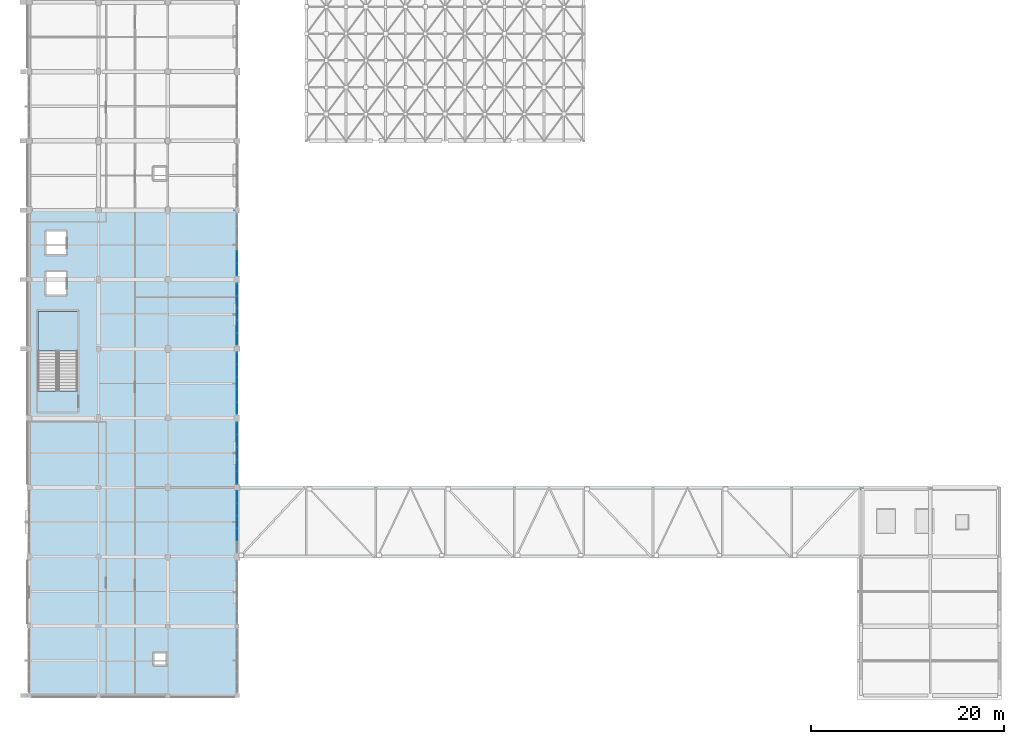
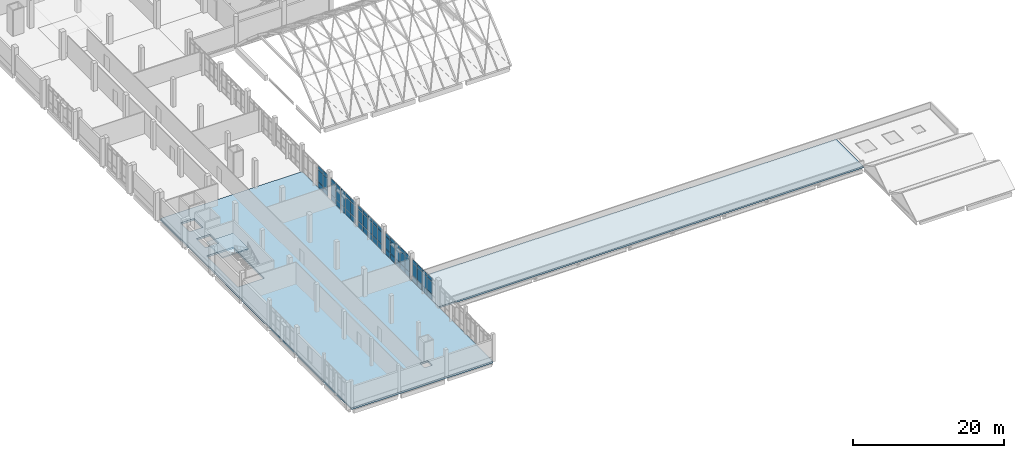
# One storey, part 60 of 87: 63 plates, 3 slabs, 6 elements without a shape of their own.
"""IFC4 building model written with IfcOpenShell, lengths in metres."""

from ifc_helpers import new_model, si_unit, direction, frame, origin, origin_2d, place, context, subcontext, project, spatial, polyline, rectangle, outline, extrude, material, layer, layer_set, type_object, element, aggregate, save


model = new_model("IFC4")

# Units and contexts
model_context = context("Model", 3, precision=1e-05, world=origin(), true_north=direction((0.0, 1.0)))
body_context = subcontext(model_context, "Body", "Model", "MODEL_VIEW")
ifc_project = project(units=[si_unit("LENGTHUNIT", "METRE"), si_unit("AREAUNIT", "SQUARE_METRE"), si_unit("VOLUMEUNIT", "CUBIC_METRE"), si_unit("PLANEANGLEUNIT", "RADIAN"), si_unit("MASSUNIT", "GRAM", prefix="KILO")], contexts=[model_context])

# Site, building, storey
site_placement = place(None, origin())
site = spatial("IfcSite", under=ifc_project, at=site_placement, CompositionType="ELEMENT")
building_placement = place(site_placement, origin())
building = spatial("IfcBuilding", under=site, at=building_placement, Name="Kalluvel Institute of Natural Sciences", CompositionType="ELEMENT")
storey_placement = place(building_placement, frame((0.0, 0.0, 18.89990234375)))
storey = spatial("IfcBuildingStorey", under=building, at=storey_placement, Name="L04", CompositionType="ELEMENT", Elevation=18.89990234375)

# Curtain wall, plates
ifc_material_1 = material(Name="Aluminium AW-6063 T6", Category="aluminium")
curtain_wall_type = type_object("IfcCurtainWallType", Name="CW-DRY-45", PredefinedType="USERDEFINED", material=ifc_material_1)
curtain_wall_1_placement = place(storey_placement, origin())
curtain_wall_1 = element("IfcCurtainWall", 1, at=curtain_wall_1_placement, inside=storey, type_object=curtain_wall_type, Name="L04 Gothic lancet curtain wall CWA-L04-X356-Y288", ObjectType="UNITISED LANCET FACADE", PredefinedType="USERDEFINED")
ifc_material_2 = material(Name="Solar-Control Low-E Laminated Glass", Category="glass")
ifc_layer_1 = layer(ifc_material_2, 0.028076171875)
ifc_layer_set_1 = layer_set([ifc_layer_1], Name="Solar-Control Low-E Laminated Glass")
plate_type = type_object("IfcPlateType", Name="CWP-DGU-28", PredefinedType="CURTAIN_PANEL", material=ifc_layer_set_1)
plate_1_placement = place(storey_placement, frame((35.60009765625, 30.75244140625, 0.06005859375), z_axis=(0.0, 0.0, 1.0), x_axis=(0.0, 1.0, 0.0)))
plate_1 = element("IfcPlate", 2, at=plate_1_placement, type_object=plate_type, Name="CW-03 panel 2.1", PredefinedType="CURTAIN_PANEL", context=body_context, shape_type="SweptSolid", body=[
    extrude(rectangle(XDim=1.22509765625, YDim=0.028076171875, at=origin_2d()), origin(), (0.0, 0.0, 1.0), 0.860107421875),
])
plate_2_placement = place(storey_placement, frame((35.60009765625, 30.75244140625, 0.980224609375), z_axis=(0.0, 0.0, 1.0), x_axis=(0.0, 1.0, 0.0)))
plate_2 = element("IfcPlate", 3, at=plate_2_placement, type_object=plate_type, Name="CW-03 panel 2.2", PredefinedType="CURTAIN_PANEL", context=body_context, shape_type="SweptSolid", body=[
    extrude(rectangle(XDim=1.22509765625, YDim=0.028076171875, at=origin_2d()), origin(), (0.0, 0.0, 1.0), 1.9599609375),
])
plate_3_placement = place(storey_placement, frame((35.60009765625, 30.75244140625, 3.0), z_axis=(0.0, 0.0, 1.0), x_axis=(0.0, 1.0, 0.0)))
plate_3 = element("IfcPlate", 4, at=plate_3_placement, type_object=plate_type, Name="CW-03 panel 2.3", PredefinedType="CURTAIN_PANEL", context=body_context, shape_type="SweptSolid", body=[
    extrude(rectangle(XDim=1.22509765625, YDim=0.028076171875, at=origin_2d()), origin(), (0.0, 0.0, 1.0), 0.56005859375),
])
plate_4_placement = place(storey_placement, frame((35.60009765625, 32.03759765625, 0.06005859375), z_axis=(0.0, 0.0, 1.0), x_axis=(0.0, 1.0, 0.0)))
plate_4 = element("IfcPlate", 5, at=plate_4_placement, type_object=plate_type, Name="CW-03 panel 3.1", PredefinedType="CURTAIN_PANEL", context=body_context, shape_type="SweptSolid", body=[
    extrude(rectangle(XDim=1.22509765625, YDim=0.028076171875, at=origin_2d()), origin(), (0.0, 0.0, 1.0), 0.860107421875),
])
plate_5_placement = place(storey_placement, frame((35.60009765625, 32.03759765625, 0.980224609375), z_axis=(0.0, 0.0, 1.0), x_axis=(0.0, 1.0, 0.0)))
plate_5 = element("IfcPlate", 6, at=plate_5_placement, type_object=plate_type, Name="CW-03 panel 3.2", PredefinedType="CURTAIN_PANEL", context=body_context, shape_type="SweptSolid", body=[
    extrude(rectangle(XDim=1.22509765625, YDim=0.028076171875, at=origin_2d()), origin(), (0.0, 0.0, 1.0), 1.9599609375),
])
plate_6_placement = place(storey_placement, frame((35.60009765625, 32.03759765625, 3.0), z_axis=(0.0, 0.0, 1.0), x_axis=(0.0, 1.0, 0.0)))
plate_6 = element("IfcPlate", 7, at=plate_6_placement, type_object=plate_type, Name="CW-03 panel 3.3", PredefinedType="CURTAIN_PANEL", context=body_context, shape_type="SweptSolid", body=[
    extrude(rectangle(XDim=1.22509765625, YDim=0.028076171875, at=origin_2d()), origin(), (0.0, 0.0, 1.0), 0.56005859375),
])
plate_7_placement = place(storey_placement, frame((35.60009765625, 33.322509765625, 0.06005859375), z_axis=(0.0, 0.0, 1.0), x_axis=(0.0, 1.0, 0.0)))
plate_7 = element("IfcPlate", 8, at=plate_7_placement, type_object=plate_type, Name="CW-03 panel 4.1", PredefinedType="CURTAIN_PANEL", context=body_context, shape_type="SweptSolid", body=[
    extrude(rectangle(XDim=1.22509765625, YDim=0.028076171875, at=origin_2d()), origin(), (0.0, 0.0, 1.0), 0.860107421875),
])
plate_8_placement = place(storey_placement, frame((35.60009765625, 33.322509765625, 0.980224609375), z_axis=(0.0, 0.0, 1.0), x_axis=(0.0, 1.0, 0.0)))
plate_8 = element("IfcPlate", 9, at=plate_8_placement, type_object=plate_type, Name="CW-03 panel 4.2", PredefinedType="CURTAIN_PANEL", context=body_context, shape_type="SweptSolid", body=[
    extrude(rectangle(XDim=1.22509765625, YDim=0.028076171875, at=origin_2d()), origin(), (0.0, 0.0, 1.0), 1.9599609375),
])
plate_9_placement = place(storey_placement, frame((35.60009765625, 33.322509765625, 3.0), z_axis=(0.0, 0.0, 1.0), x_axis=(0.0, 1.0, 0.0)))
plate_9 = element("IfcPlate", 10, at=plate_9_placement, type_object=plate_type, Name="CW-03 panel 4.3", PredefinedType="CURTAIN_PANEL", context=body_context, shape_type="SweptSolid", body=[
    extrude(rectangle(XDim=1.22509765625, YDim=0.028076171875, at=origin_2d()), origin(), (0.0, 0.0, 1.0), 0.56005859375),
])
plate_10_placement = place(storey_placement, frame((35.60009765625, 34.592529296875, 0.06005859375), z_axis=(0.0, 0.0, 1.0), x_axis=(0.0, 1.0, 0.0)))
plate_10 = element("IfcPlate", 11, at=plate_10_placement, type_object=plate_type, Name="CW-03 panel 5.1", PredefinedType="CURTAIN_PANEL", context=body_context, shape_type="SweptSolid", body=[
    extrude(rectangle(XDim=1.195068359375, YDim=0.028076171875, at=origin_2d()), origin(), (0.0, 0.0, 1.0), 0.860107421875),
])
plate_11_placement = place(storey_placement, frame((35.60009765625, 34.592529296875, 0.980224609375), z_axis=(0.0, 0.0, 1.0), x_axis=(0.0, 1.0, 0.0)))
plate_11 = element("IfcPlate", 12, at=plate_11_placement, type_object=plate_type, Name="CW-03 panel 5.2", PredefinedType="CURTAIN_PANEL", context=body_context, shape_type="SweptSolid", body=[
    extrude(rectangle(XDim=1.195068359375, YDim=0.028076171875, at=origin_2d()), origin(), (0.0, 0.0, 1.0), 1.9599609375),
])
plate_12_placement = place(storey_placement, frame((35.60009765625, 34.592529296875, 3.0), z_axis=(0.0, 0.0, 1.0), x_axis=(0.0, 1.0, 0.0)))
plate_12 = element("IfcPlate", 13, at=plate_12_placement, type_object=plate_type, Name="CW-03 panel 5.3", PredefinedType="CURTAIN_PANEL", context=body_context, shape_type="SweptSolid", body=[
    extrude(rectangle(XDim=1.195068359375, YDim=0.028076171875, at=origin_2d()), origin(), (0.0, 0.0, 1.0), 0.56005859375),
])
aggregate(curtain_wall_1, [plate_1, plate_2, plate_3, plate_4, plate_5, plate_6, plate_7, plate_8, plate_9, plate_10, plate_11, plate_12])

curtain_wall_2_placement = place(storey_placement, origin())
curtain_wall_2 = element("IfcCurtainWall", 14, at=curtain_wall_2_placement, inside=storey, type_object=curtain_wall_type, Name="L04 Gothic lancet curtain wall CWA-L04-X356-Y360", ObjectType="UNITISED LANCET FACADE", PredefinedType="USERDEFINED")
plate_13_placement = place(storey_placement, frame((35.60009765625, 36.610107421875, 0.06005859375), z_axis=(0.0, 0.0, 1.0), x_axis=(0.0, 1.0, 0.0)))
plate_13 = element("IfcPlate", 15, at=plate_13_placement, type_object=plate_type, Name="CW-03 panel 1.1", PredefinedType="CURTAIN_PANEL", context=body_context, shape_type="SweptSolid", body=[
    extrude(rectangle(XDim=1.199951171875, YDim=0.028076171875, at=origin_2d()), origin(), (0.0, 0.0, 1.0), 0.860107421875),
])
plate_14_placement = place(storey_placement, frame((35.60009765625, 36.610107421875, 0.980224609375), z_axis=(0.0, 0.0, 1.0), x_axis=(0.0, 1.0, 0.0)))
plate_14 = element("IfcPlate", 16, at=plate_14_placement, type_object=plate_type, Name="CW-03 panel 1.2", PredefinedType="CURTAIN_PANEL", context=body_context, shape_type="SweptSolid", body=[
    extrude(rectangle(XDim=1.199951171875, YDim=0.028076171875, at=origin_2d()), origin(), (0.0, 0.0, 1.0), 1.9599609375),
])
plate_15_placement = place(storey_placement, frame((35.60009765625, 36.610107421875, 3.0), z_axis=(0.0, 0.0, 1.0), x_axis=(0.0, 1.0, 0.0)))
plate_15 = element("IfcPlate", 17, at=plate_15_placement, type_object=plate_type, Name="CW-03 panel 1.3", PredefinedType="CURTAIN_PANEL", context=body_context, shape_type="SweptSolid", body=[
    extrude(rectangle(XDim=1.199951171875, YDim=0.028076171875, at=origin_2d()), origin(), (0.0, 0.0, 1.0), 0.56005859375),
])
plate_16_placement = place(storey_placement, frame((35.60009765625, 37.885009765625, 0.06005859375), z_axis=(0.0, 0.0, 1.0), x_axis=(0.0, 1.0, 0.0)))
plate_16 = element("IfcPlate", 18, at=plate_16_placement, type_object=plate_type, Name="CW-03 panel 2.1", PredefinedType="CURTAIN_PANEL", context=body_context, shape_type="SweptSolid", body=[
    extrude(rectangle(XDim=1.22998046875, YDim=0.028076171875, at=origin_2d()), origin(), (0.0, 0.0, 1.0), 0.860107421875),
])
plate_17_placement = place(storey_placement, frame((35.60009765625, 37.885009765625, 0.980224609375), z_axis=(0.0, 0.0, 1.0), x_axis=(0.0, 1.0, 0.0)))
plate_17 = element("IfcPlate", 19, at=plate_17_placement, type_object=plate_type, Name="CW-03 panel 2.2", PredefinedType="CURTAIN_PANEL", context=body_context, shape_type="SweptSolid", body=[
    extrude(rectangle(XDim=1.22998046875, YDim=0.028076171875, at=origin_2d()), origin(), (0.0, 0.0, 1.0), 1.9599609375),
])
plate_18_placement = place(storey_placement, frame((35.60009765625, 37.885009765625, 3.0), z_axis=(0.0, 0.0, 1.0), x_axis=(0.0, 1.0, 0.0)))
plate_18 = element("IfcPlate", 20, at=plate_18_placement, type_object=plate_type, Name="CW-03 panel 2.3", PredefinedType="CURTAIN_PANEL", context=body_context, shape_type="SweptSolid", body=[
    extrude(rectangle(XDim=1.22998046875, YDim=0.028076171875, at=origin_2d()), origin(), (0.0, 0.0, 1.0), 0.56005859375),
])
plate_19_placement = place(storey_placement, frame((35.60009765625, 39.175048828125, 0.06005859375), z_axis=(0.0, 0.0, 1.0), x_axis=(0.0, 1.0, 0.0)))
plate_19 = element("IfcPlate", 21, at=plate_19_placement, type_object=plate_type, Name="CW-03 panel 3.1", PredefinedType="CURTAIN_PANEL", context=body_context, shape_type="SweptSolid", body=[
    extrude(rectangle(XDim=1.22998046875, YDim=0.028076171875, at=origin_2d()), origin(), (0.0, 0.0, 1.0), 0.860107421875),
])
plate_20_placement = place(storey_placement, frame((35.60009765625, 39.175048828125, 0.980224609375), z_axis=(0.0, 0.0, 1.0), x_axis=(0.0, 1.0, 0.0)))
plate_20 = element("IfcPlate", 22, at=plate_20_placement, type_object=plate_type, Name="CW-03 panel 3.2", PredefinedType="CURTAIN_PANEL", context=body_context, shape_type="SweptSolid", body=[
    extrude(rectangle(XDim=1.22998046875, YDim=0.028076171875, at=origin_2d()), origin(), (0.0, 0.0, 1.0), 1.9599609375),
])
plate_21_placement = place(storey_placement, frame((35.60009765625, 39.175048828125, 3.0), z_axis=(0.0, 0.0, 1.0), x_axis=(0.0, 1.0, 0.0)))
plate_21 = element("IfcPlate", 23, at=plate_21_placement, type_object=plate_type, Name="CW-03 panel 3.3", PredefinedType="CURTAIN_PANEL", context=body_context, shape_type="SweptSolid", body=[
    extrude(rectangle(XDim=1.22998046875, YDim=0.028076171875, at=origin_2d()), origin(), (0.0, 0.0, 1.0), 0.56005859375),
])
plate_22_placement = place(storey_placement, frame((35.60009765625, 40.465087890625, 0.06005859375), z_axis=(0.0, 0.0, 1.0), x_axis=(0.0, 1.0, 0.0)))
plate_22 = element("IfcPlate", 24, at=plate_22_placement, type_object=plate_type, Name="CW-03 panel 4.1", PredefinedType="CURTAIN_PANEL", context=body_context, shape_type="SweptSolid", body=[
    extrude(rectangle(XDim=1.22998046875, YDim=0.028076171875, at=origin_2d()), origin(), (0.0, 0.0, 1.0), 0.860107421875),
])
plate_23_placement = place(storey_placement, frame((35.60009765625, 40.465087890625, 0.980224609375), z_axis=(0.0, 0.0, 1.0), x_axis=(0.0, 1.0, 0.0)))
plate_23 = element("IfcPlate", 25, at=plate_23_placement, type_object=plate_type, Name="CW-03 panel 4.2", PredefinedType="CURTAIN_PANEL", context=body_context, shape_type="SweptSolid", body=[
    extrude(rectangle(XDim=1.22998046875, YDim=0.028076171875, at=origin_2d()), origin(), (0.0, 0.0, 1.0), 1.9599609375),
])
plate_24_placement = place(storey_placement, frame((35.60009765625, 40.465087890625, 3.0), z_axis=(0.0, 0.0, 1.0), x_axis=(0.0, 1.0, 0.0)))
plate_24 = element("IfcPlate", 26, at=plate_24_placement, type_object=plate_type, Name="CW-03 panel 4.3", PredefinedType="CURTAIN_PANEL", context=body_context, shape_type="SweptSolid", body=[
    extrude(rectangle(XDim=1.22998046875, YDim=0.028076171875, at=origin_2d()), origin(), (0.0, 0.0, 1.0), 0.56005859375),
])
plate_25_placement = place(storey_placement, frame((35.60009765625, 41.739990234375, 0.06005859375), z_axis=(0.0, 0.0, 1.0), x_axis=(0.0, 1.0, 0.0)))
plate_25 = element("IfcPlate", 27, at=plate_25_placement, type_object=plate_type, Name="CW-03 panel 5.1", PredefinedType="CURTAIN_PANEL", context=body_context, shape_type="SweptSolid", body=[
    extrude(rectangle(XDim=1.199951171875, YDim=0.028076171875, at=origin_2d()), origin(), (0.0, 0.0, 1.0), 0.860107421875),
])
plate_26_placement = place(storey_placement, frame((35.60009765625, 41.739990234375, 0.980224609375), z_axis=(0.0, 0.0, 1.0), x_axis=(0.0, 1.0, 0.0)))
plate_26 = element("IfcPlate", 28, at=plate_26_placement, type_object=plate_type, Name="CW-03 panel 5.2", PredefinedType="CURTAIN_PANEL", context=body_context, shape_type="SweptSolid", body=[
    extrude(rectangle(XDim=1.199951171875, YDim=0.028076171875, at=origin_2d()), origin(), (0.0, 0.0, 1.0), 1.9599609375),
])
plate_27_placement = place(storey_placement, frame((35.60009765625, 41.739990234375, 3.0), z_axis=(0.0, 0.0, 1.0), x_axis=(0.0, 1.0, 0.0)))
plate_27 = element("IfcPlate", 29, at=plate_27_placement, type_object=plate_type, Name="CW-03 panel 5.3", PredefinedType="CURTAIN_PANEL", context=body_context, shape_type="SweptSolid", body=[
    extrude(rectangle(XDim=1.199951171875, YDim=0.028076171875, at=origin_2d()), origin(), (0.0, 0.0, 1.0), 0.56005859375),
])
aggregate(curtain_wall_2, [plate_13, plate_14, plate_15, plate_16, plate_17, plate_18, plate_19, plate_20, plate_21, plate_22, plate_23, plate_24, plate_25, plate_26, plate_27])

curtain_wall_3_placement = place(storey_placement, origin())
curtain_wall_3 = element("IfcCurtainWall", 30, at=curtain_wall_3_placement, inside=storey, type_object=curtain_wall_type, Name="L04 Gothic lancet curtain wall CWA-L04-X356-Y432", ObjectType="UNITISED LANCET FACADE", PredefinedType="USERDEFINED")
plate_28_placement = place(storey_placement, frame((35.60009765625, 43.860107421875, 0.06005859375), z_axis=(0.0, 0.0, 1.0), x_axis=(0.0, 1.0, 0.0)))
plate_28 = element("IfcPlate", 31, at=plate_28_placement, type_object=plate_type, Name="CW-03 panel 1.1", PredefinedType="CURTAIN_PANEL", context=body_context, shape_type="SweptSolid", body=[
    extrude(rectangle(XDim=1.199951171875, YDim=0.028076171875, at=origin_2d()), origin(), (0.0, 0.0, 1.0), 0.860107421875),
])
plate_29_placement = place(storey_placement, frame((35.60009765625, 43.860107421875, 0.980224609375), z_axis=(0.0, 0.0, 1.0), x_axis=(0.0, 1.0, 0.0)))
plate_29 = element("IfcPlate", 32, at=plate_29_placement, type_object=plate_type, Name="CW-03 panel 1.2", PredefinedType="CURTAIN_PANEL", context=body_context, shape_type="SweptSolid", body=[
    extrude(rectangle(XDim=1.199951171875, YDim=0.028076171875, at=origin_2d()), origin(), (0.0, 0.0, 1.0), 1.9599609375),
])
plate_30_placement = place(storey_placement, frame((35.60009765625, 43.860107421875, 3.0), z_axis=(0.0, 0.0, 1.0), x_axis=(0.0, 1.0, 0.0)))
plate_30 = element("IfcPlate", 33, at=plate_30_placement, type_object=plate_type, Name="CW-03 panel 1.3", PredefinedType="CURTAIN_PANEL", context=body_context, shape_type="SweptSolid", body=[
    extrude(rectangle(XDim=1.199951171875, YDim=0.028076171875, at=origin_2d()), origin(), (0.0, 0.0, 1.0), 0.56005859375),
])
plate_31_placement = place(storey_placement, frame((35.60009765625, 45.135009765625, 0.06005859375), z_axis=(0.0, 0.0, 1.0), x_axis=(0.0, 1.0, 0.0)))
plate_31 = element("IfcPlate", 34, at=plate_31_placement, type_object=plate_type, Name="CW-03 panel 2.1", PredefinedType="CURTAIN_PANEL", context=body_context, shape_type="SweptSolid", body=[
    extrude(rectangle(XDim=1.22998046875, YDim=0.028076171875, at=origin_2d()), origin(), (0.0, 0.0, 1.0), 0.860107421875),
])
plate_32_placement = place(storey_placement, frame((35.60009765625, 45.135009765625, 0.980224609375), z_axis=(0.0, 0.0, 1.0), x_axis=(0.0, 1.0, 0.0)))
plate_32 = element("IfcPlate", 35, at=plate_32_placement, type_object=plate_type, Name="CW-03 panel 2.2", PredefinedType="CURTAIN_PANEL", context=body_context, shape_type="SweptSolid", body=[
    extrude(rectangle(XDim=1.22998046875, YDim=0.028076171875, at=origin_2d()), origin(), (0.0, 0.0, 1.0), 1.9599609375),
])
plate_33_placement = place(storey_placement, frame((35.60009765625, 45.135009765625, 3.0), z_axis=(0.0, 0.0, 1.0), x_axis=(0.0, 1.0, 0.0)))
plate_33 = element("IfcPlate", 36, at=plate_33_placement, type_object=plate_type, Name="CW-03 panel 2.3", PredefinedType="CURTAIN_PANEL", context=body_context, shape_type="SweptSolid", body=[
    extrude(rectangle(XDim=1.22998046875, YDim=0.028076171875, at=origin_2d()), origin(), (0.0, 0.0, 1.0), 0.56005859375),
])
plate_34_placement = place(storey_placement, frame((35.60009765625, 46.425048828125, 0.06005859375), z_axis=(0.0, 0.0, 1.0), x_axis=(0.0, 1.0, 0.0)))
plate_34 = element("IfcPlate", 37, at=plate_34_placement, type_object=plate_type, Name="CW-03 panel 3.1", PredefinedType="CURTAIN_PANEL", context=body_context, shape_type="SweptSolid", body=[
    extrude(rectangle(XDim=1.22998046875, YDim=0.028076171875, at=origin_2d()), origin(), (0.0, 0.0, 1.0), 0.860107421875),
])
plate_35_placement = place(storey_placement, frame((35.60009765625, 46.425048828125, 0.980224609375), z_axis=(0.0, 0.0, 1.0), x_axis=(0.0, 1.0, 0.0)))
plate_35 = element("IfcPlate", 38, at=plate_35_placement, type_object=plate_type, Name="CW-03 panel 3.2", PredefinedType="CURTAIN_PANEL", context=body_context, shape_type="SweptSolid", body=[
    extrude(rectangle(XDim=1.22998046875, YDim=0.028076171875, at=origin_2d()), origin(), (0.0, 0.0, 1.0), 1.9599609375),
])
plate_36_placement = place(storey_placement, frame((35.60009765625, 46.425048828125, 3.0), z_axis=(0.0, 0.0, 1.0), x_axis=(0.0, 1.0, 0.0)))
plate_36 = element("IfcPlate", 39, at=plate_36_placement, type_object=plate_type, Name="CW-03 panel 3.3", PredefinedType="CURTAIN_PANEL", context=body_context, shape_type="SweptSolid", body=[
    extrude(rectangle(XDim=1.22998046875, YDim=0.028076171875, at=origin_2d()), origin(), (0.0, 0.0, 1.0), 0.56005859375),
])
plate_37_placement = place(storey_placement, frame((35.60009765625, 47.715087890625, 0.06005859375), z_axis=(0.0, 0.0, 1.0), x_axis=(0.0, 1.0, 0.0)))
plate_37 = element("IfcPlate", 40, at=plate_37_placement, type_object=plate_type, Name="CW-03 panel 4.1", PredefinedType="CURTAIN_PANEL", context=body_context, shape_type="SweptSolid", body=[
    extrude(rectangle(XDim=1.22998046875, YDim=0.028076171875, at=origin_2d()), origin(), (0.0, 0.0, 1.0), 0.860107421875),
])
plate_38_placement = place(storey_placement, frame((35.60009765625, 47.715087890625, 0.980224609375), z_axis=(0.0, 0.0, 1.0), x_axis=(0.0, 1.0, 0.0)))
plate_38 = element("IfcPlate", 41, at=plate_38_placement, type_object=plate_type, Name="CW-03 panel 4.2", PredefinedType="CURTAIN_PANEL", context=body_context, shape_type="SweptSolid", body=[
    extrude(rectangle(XDim=1.22998046875, YDim=0.028076171875, at=origin_2d()), origin(), (0.0, 0.0, 1.0), 1.9599609375),
])
plate_39_placement = place(storey_placement, frame((35.60009765625, 47.715087890625, 3.0), z_axis=(0.0, 0.0, 1.0), x_axis=(0.0, 1.0, 0.0)))
plate_39 = element("IfcPlate", 42, at=plate_39_placement, type_object=plate_type, Name="CW-03 panel 4.3", PredefinedType="CURTAIN_PANEL", context=body_context, shape_type="SweptSolid", body=[
    extrude(rectangle(XDim=1.22998046875, YDim=0.028076171875, at=origin_2d()), origin(), (0.0, 0.0, 1.0), 0.56005859375),
])
plate_40_placement = place(storey_placement, frame((35.60009765625, 48.989990234375, 0.06005859375), z_axis=(0.0, 0.0, 1.0), x_axis=(0.0, 1.0, 0.0)))
plate_40 = element("IfcPlate", 43, at=plate_40_placement, type_object=plate_type, Name="CW-03 panel 5.1", PredefinedType="CURTAIN_PANEL", context=body_context, shape_type="SweptSolid", body=[
    extrude(rectangle(XDim=1.199951171875, YDim=0.028076171875, at=origin_2d()), origin(), (0.0, 0.0, 1.0), 0.860107421875),
])
plate_41_placement = place(storey_placement, frame((35.60009765625, 48.989990234375, 0.980224609375), z_axis=(0.0, 0.0, 1.0), x_axis=(0.0, 1.0, 0.0)))
plate_41 = element("IfcPlate", 44, at=plate_41_placement, type_object=plate_type, Name="CW-03 panel 5.2", PredefinedType="CURTAIN_PANEL", context=body_context, shape_type="SweptSolid", body=[
    extrude(rectangle(XDim=1.199951171875, YDim=0.028076171875, at=origin_2d()), origin(), (0.0, 0.0, 1.0), 1.9599609375),
])
plate_42_placement = place(storey_placement, frame((35.60009765625, 48.989990234375, 3.0), z_axis=(0.0, 0.0, 1.0), x_axis=(0.0, 1.0, 0.0)))
plate_42 = element("IfcPlate", 45, at=plate_42_placement, type_object=plate_type, Name="CW-03 panel 5.3", PredefinedType="CURTAIN_PANEL", context=body_context, shape_type="SweptSolid", body=[
    extrude(rectangle(XDim=1.199951171875, YDim=0.028076171875, at=origin_2d()), origin(), (0.0, 0.0, 1.0), 0.56005859375),
])
aggregate(curtain_wall_3, [plate_28, plate_29, plate_30, plate_31, plate_32, plate_33, plate_34, plate_35, plate_36, plate_37, plate_38, plate_39, plate_40, plate_41, plate_42])

curtain_wall_4_placement = place(storey_placement, origin())
curtain_wall_4 = element("IfcCurtainWall", 46, at=curtain_wall_4_placement, inside=storey, type_object=curtain_wall_type, Name="L04 Gothic lancet curtain wall CWA-L04-X356-Y504", ObjectType="UNITISED LANCET FACADE", PredefinedType="USERDEFINED")
plate_43_placement = place(storey_placement, frame((35.60009765625, 51.010009765625, 0.06005859375), z_axis=(0.0, 0.0, 1.0), x_axis=(0.0, 1.0, 0.0)))
plate_43 = element("IfcPlate", 47, at=plate_43_placement, type_object=plate_type, Name="CW-03 panel 1.1", PredefinedType="CURTAIN_PANEL", context=body_context, shape_type="SweptSolid", body=[
    extrude(rectangle(XDim=1.199951171875, YDim=0.028076171875, at=origin_2d()), origin(), (0.0, 0.0, 1.0), 0.860107421875),
])
plate_44_placement = place(storey_placement, frame((35.60009765625, 51.010009765625, 0.980224609375), z_axis=(0.0, 0.0, 1.0), x_axis=(0.0, 1.0, 0.0)))
plate_44 = element("IfcPlate", 48, at=plate_44_placement, type_object=plate_type, Name="CW-03 panel 1.2", PredefinedType="CURTAIN_PANEL", context=body_context, shape_type="SweptSolid", body=[
    extrude(rectangle(XDim=1.199951171875, YDim=0.028076171875, at=origin_2d()), origin(), (0.0, 0.0, 1.0), 1.9599609375),
])
plate_45_placement = place(storey_placement, frame((35.60009765625, 51.010009765625, 3.0), z_axis=(0.0, 0.0, 1.0), x_axis=(0.0, 1.0, 0.0)))
plate_45 = element("IfcPlate", 49, at=plate_45_placement, type_object=plate_type, Name="CW-03 panel 1.3", PredefinedType="CURTAIN_PANEL", context=body_context, shape_type="SweptSolid", body=[
    extrude(rectangle(XDim=1.199951171875, YDim=0.028076171875, at=origin_2d()), origin(), (0.0, 0.0, 1.0), 0.56005859375),
])
plate_46_placement = place(storey_placement, frame((35.60009765625, 52.284912109375, 0.06005859375), z_axis=(0.0, 0.0, 1.0), x_axis=(0.0, 1.0, 0.0)))
plate_46 = element("IfcPlate", 50, at=plate_46_placement, type_object=plate_type, Name="CW-03 panel 2.1", PredefinedType="CURTAIN_PANEL", context=body_context, shape_type="SweptSolid", body=[
    extrude(rectangle(XDim=1.22998046875, YDim=0.028076171875, at=origin_2d()), origin(), (0.0, 0.0, 1.0), 0.860107421875),
])
plate_47_placement = place(storey_placement, frame((35.60009765625, 52.284912109375, 0.980224609375), z_axis=(0.0, 0.0, 1.0), x_axis=(0.0, 1.0, 0.0)))
plate_47 = element("IfcPlate", 51, at=plate_47_placement, type_object=plate_type, Name="CW-03 panel 2.2", PredefinedType="CURTAIN_PANEL", context=body_context, shape_type="SweptSolid", body=[
    extrude(rectangle(XDim=1.22998046875, YDim=0.028076171875, at=origin_2d()), origin(), (0.0, 0.0, 1.0), 1.9599609375),
])
plate_48_placement = place(storey_placement, frame((35.60009765625, 52.284912109375, 3.0), z_axis=(0.0, 0.0, 1.0), x_axis=(0.0, 1.0, 0.0)))
plate_48 = element("IfcPlate", 52, at=plate_48_placement, type_object=plate_type, Name="CW-03 panel 2.3", PredefinedType="CURTAIN_PANEL", context=body_context, shape_type="SweptSolid", body=[
    extrude(rectangle(XDim=1.22998046875, YDim=0.028076171875, at=origin_2d()), origin(), (0.0, 0.0, 1.0), 0.56005859375),
])
plate_49_placement = place(storey_placement, frame((35.60009765625, 53.574951171875, 0.06005859375), z_axis=(0.0, 0.0, 1.0), x_axis=(0.0, 1.0, 0.0)))
plate_49 = element("IfcPlate", 53, at=plate_49_placement, type_object=plate_type, Name="CW-03 panel 3.1", PredefinedType="CURTAIN_PANEL", context=body_context, shape_type="SweptSolid", body=[
    extrude(rectangle(XDim=1.22998046875, YDim=0.028076171875, at=origin_2d()), origin(), (0.0, 0.0, 1.0), 0.860107421875),
])
plate_50_placement = place(storey_placement, frame((35.60009765625, 53.574951171875, 0.980224609375), z_axis=(0.0, 0.0, 1.0), x_axis=(0.0, 1.0, 0.0)))
plate_50 = element("IfcPlate", 54, at=plate_50_placement, type_object=plate_type, Name="CW-03 panel 3.2", PredefinedType="CURTAIN_PANEL", context=body_context, shape_type="SweptSolid", body=[
    extrude(rectangle(XDim=1.22998046875, YDim=0.028076171875, at=origin_2d()), origin(), (0.0, 0.0, 1.0), 1.9599609375),
])
plate_51_placement = place(storey_placement, frame((35.60009765625, 53.574951171875, 3.0), z_axis=(0.0, 0.0, 1.0), x_axis=(0.0, 1.0, 0.0)))
plate_51 = element("IfcPlate", 55, at=plate_51_placement, type_object=plate_type, Name="CW-03 panel 3.3", PredefinedType="CURTAIN_PANEL", context=body_context, shape_type="SweptSolid", body=[
    extrude(rectangle(XDim=1.22998046875, YDim=0.028076171875, at=origin_2d()), origin(), (0.0, 0.0, 1.0), 0.56005859375),
])
plate_52_placement = place(storey_placement, frame((35.60009765625, 54.864990234375, 0.06005859375), z_axis=(0.0, 0.0, 1.0), x_axis=(0.0, 1.0, 0.0)))
plate_52 = element("IfcPlate", 56, at=plate_52_placement, type_object=plate_type, Name="CW-03 panel 4.1", PredefinedType="CURTAIN_PANEL", context=body_context, shape_type="SweptSolid", body=[
    extrude(rectangle(XDim=1.22998046875, YDim=0.028076171875, at=origin_2d()), origin(), (0.0, 0.0, 1.0), 0.860107421875),
])
plate_53_placement = place(storey_placement, frame((35.60009765625, 54.864990234375, 0.980224609375), z_axis=(0.0, 0.0, 1.0), x_axis=(0.0, 1.0, 0.0)))
plate_53 = element("IfcPlate", 57, at=plate_53_placement, type_object=plate_type, Name="CW-03 panel 4.2", PredefinedType="CURTAIN_PANEL", context=body_context, shape_type="SweptSolid", body=[
    extrude(rectangle(XDim=1.22998046875, YDim=0.028076171875, at=origin_2d()), origin(), (0.0, 0.0, 1.0), 1.9599609375),
])
plate_54_placement = place(storey_placement, frame((35.60009765625, 54.864990234375, 3.0), z_axis=(0.0, 0.0, 1.0), x_axis=(0.0, 1.0, 0.0)))
plate_54 = element("IfcPlate", 58, at=plate_54_placement, type_object=plate_type, Name="CW-03 panel 4.3", PredefinedType="CURTAIN_PANEL", context=body_context, shape_type="SweptSolid", body=[
    extrude(rectangle(XDim=1.22998046875, YDim=0.028076171875, at=origin_2d()), origin(), (0.0, 0.0, 1.0), 0.56005859375),
])
plate_55_placement = place(storey_placement, frame((35.60009765625, 56.139892578125, 0.06005859375), z_axis=(0.0, 0.0, 1.0), x_axis=(0.0, 1.0, 0.0)))
plate_55 = element("IfcPlate", 59, at=plate_55_placement, type_object=plate_type, Name="CW-03 panel 5.1", PredefinedType="CURTAIN_PANEL", context=body_context, shape_type="SweptSolid", body=[
    extrude(rectangle(XDim=1.199951171875, YDim=0.028076171875, at=origin_2d()), origin(), (0.0, 0.0, 1.0), 0.860107421875),
])
plate_56_placement = place(storey_placement, frame((35.60009765625, 56.139892578125, 0.980224609375), z_axis=(0.0, 0.0, 1.0), x_axis=(0.0, 1.0, 0.0)))
plate_56 = element("IfcPlate", 60, at=plate_56_placement, type_object=plate_type, Name="CW-03 panel 5.2", PredefinedType="CURTAIN_PANEL", context=body_context, shape_type="SweptSolid", body=[
    extrude(rectangle(XDim=1.199951171875, YDim=0.028076171875, at=origin_2d()), origin(), (0.0, 0.0, 1.0), 1.9599609375),
])
plate_57_placement = place(storey_placement, frame((35.60009765625, 56.139892578125, 3.0), z_axis=(0.0, 0.0, 1.0), x_axis=(0.0, 1.0, 0.0)))
plate_57 = element("IfcPlate", 61, at=plate_57_placement, type_object=plate_type, Name="CW-03 panel 5.3", PredefinedType="CURTAIN_PANEL", context=body_context, shape_type="SweptSolid", body=[
    extrude(rectangle(XDim=1.199951171875, YDim=0.028076171875, at=origin_2d()), origin(), (0.0, 0.0, 1.0), 0.56005859375),
])
aggregate(curtain_wall_4, [plate_43, plate_44, plate_45, plate_46, plate_47, plate_48, plate_49, plate_50, plate_51, plate_52, plate_53, plate_54, plate_55, plate_56, plate_57])

curtain_wall_5_placement = place(storey_placement, origin())
curtain_wall_5 = element("IfcCurtainWall", 62, at=curtain_wall_5_placement, inside=storey, type_object=curtain_wall_type, Name="L04 Gothic lancet curtain wall CWA-L04-X356-Y576", ObjectType="UNITISED LANCET FACADE", PredefinedType="USERDEFINED")
plate_58_placement = place(storey_placement, frame((35.60009765625, 58.260009765625, 0.06005859375), z_axis=(0.0, 0.0, 1.0), x_axis=(0.0, 1.0, 0.0)))
plate_58 = element("IfcPlate", 63, at=plate_58_placement, type_object=plate_type, Name="CW-03 panel 1.1", PredefinedType="CURTAIN_PANEL", context=body_context, shape_type="SweptSolid", body=[
    extrude(rectangle(XDim=1.199951171875, YDim=0.028076171875, at=origin_2d()), origin(), (0.0, 0.0, 1.0), 0.860107421875),
])
plate_59_placement = place(storey_placement, frame((35.60009765625, 58.260009765625, 0.980224609375), z_axis=(0.0, 0.0, 1.0), x_axis=(0.0, 1.0, 0.0)))
plate_59 = element("IfcPlate", 64, at=plate_59_placement, type_object=plate_type, Name="CW-03 panel 1.2", PredefinedType="CURTAIN_PANEL", context=body_context, shape_type="SweptSolid", body=[
    extrude(rectangle(XDim=1.199951171875, YDim=0.028076171875, at=origin_2d()), origin(), (0.0, 0.0, 1.0), 1.9599609375),
])
plate_60_placement = place(storey_placement, frame((35.60009765625, 58.260009765625, 3.0), z_axis=(0.0, 0.0, 1.0), x_axis=(0.0, 1.0, 0.0)))
plate_60 = element("IfcPlate", 65, at=plate_60_placement, type_object=plate_type, Name="CW-03 panel 1.3", PredefinedType="CURTAIN_PANEL", context=body_context, shape_type="SweptSolid", body=[
    extrude(rectangle(XDim=1.199951171875, YDim=0.028076171875, at=origin_2d()), origin(), (0.0, 0.0, 1.0), 0.56005859375),
])
plate_61_placement = place(storey_placement, frame((35.60009765625, 59.534912109375, 0.06005859375), z_axis=(0.0, 0.0, 1.0), x_axis=(0.0, 1.0, 0.0)))
plate_61 = element("IfcPlate", 66, at=plate_61_placement, type_object=plate_type, Name="CW-03 panel 2.1", PredefinedType="CURTAIN_PANEL", context=body_context, shape_type="SweptSolid", body=[
    extrude(rectangle(XDim=1.22998046875, YDim=0.028076171875, at=origin_2d()), origin(), (0.0, 0.0, 1.0), 0.860107421875),
])
plate_62_placement = place(storey_placement, frame((35.60009765625, 59.534912109375, 0.980224609375), z_axis=(0.0, 0.0, 1.0), x_axis=(0.0, 1.0, 0.0)))
plate_62 = element("IfcPlate", 67, at=plate_62_placement, type_object=plate_type, Name="CW-03 panel 2.2", PredefinedType="CURTAIN_PANEL", context=body_context, shape_type="SweptSolid", body=[
    extrude(rectangle(XDim=1.22998046875, YDim=0.028076171875, at=origin_2d()), origin(), (0.0, 0.0, 1.0), 1.9599609375),
])
plate_63_placement = place(storey_placement, frame((35.60009765625, 59.534912109375, 3.0), z_axis=(0.0, 0.0, 1.0), x_axis=(0.0, 1.0, 0.0)))
plate_63 = element("IfcPlate", 68, at=plate_63_placement, type_object=plate_type, Name="CW-03 panel 2.3", PredefinedType="CURTAIN_PANEL", context=body_context, shape_type="SweptSolid", body=[
    extrude(rectangle(XDim=1.22998046875, YDim=0.028076171875, at=origin_2d()), origin(), (0.0, 0.0, 1.0), 0.56005859375),
])
aggregate(curtain_wall_5, [plate_58, plate_59, plate_60, plate_61, plate_62, plate_63])

# Slabs
ifc_material_3 = material(Name="Concrete M40", Category="concrete")
ifc_layer_2 = layer(ifc_material_3, 0.300048828125)
ifc_layer_set_2 = layer_set([ifc_layer_2], Name="Concrete M40")
slab_type_1 = type_object("IfcSlabType", Name="SLB-DRY-300", PredefinedType="FLOOR", material=ifc_layer_set_2)
slab_1_placement = place(storey_placement, frame((0.0, 0.0, -0.2998046875)))
element("IfcSlab", 69, at=slab_1_placement, inside=storey, type_object=slab_type_1, Name="L04 Dry Laboratory Floor Slab S", PredefinedType="FLOOR", context=body_context, shape_type="SweptSolid", body=[
    extrude(outline(polyline([(14.0, 14.0), (35.60009765625, 14.0), (35.60009765625, 64.39990234375), (14.0, 64.39990234375), (14.0, 14.0)]), holes=[polyline([(28.199951171875, 18.39990234375), (28.199951171875, 17.199951171875), (27.0, 17.199951171875), (27.0, 18.39990234375), (28.199951171875, 18.39990234375)]), polyline([(14.929931640625, 53.89990234375), (19.0, 53.89990234375), (19.0, 45.617919921875), (14.929931640625, 45.617919921875), (14.929931640625, 53.89990234375)]), polyline([(17.820068359375, 57.969970703125), (17.820068359375, 55.6298828125), (15.780029296875, 55.6298828125), (15.780029296875, 57.969970703125), (17.820068359375, 57.969970703125)]), polyline([(17.820068359375, 62.169921875), (17.820068359375, 59.830078125), (15.780029296875, 59.830078125), (15.780029296875, 62.169921875), (17.820068359375, 62.169921875)])]), origin(), (0.0, 0.0, 1.0), 0.2998046875),
])
ifc_layer_3 = layer(ifc_material_3, 0.25)
ifc_layer_set_3 = layer_set([ifc_layer_3], Name="Concrete M40")
slab_type_2 = type_object("IfcSlabType", Name="SLB-ROOF-250", PredefinedType="ROOF", material=ifc_layer_set_3)
slab_2_placement = place(storey_placement, frame((0.0, 0.0, -0.25)))
element("IfcSlab", 70, at=slab_2_placement, inside=storey, type_object=slab_type_2, Name="Glazed Truss Link Bridge Roof Slab", PredefinedType="ROOF", context=body_context, shape_type="SweptSolid", body=[
    extrude(outline(polyline([(35.60009765625, 28.39990234375), (100.39990234375, 28.39990234375), (100.39990234375, 35.60009765625), (35.60009765625, 35.60009765625), (35.60009765625, 28.39990234375)])), origin(), (0.0, 0.0, 1.0), 0.25),
])

# Stair, slab
stair_type = type_object("IfcStairType", Name="STR-ST4-45", PredefinedType="HALF_TURN_STAIR", material=ifc_material_3)
stair_placement = place(storey_placement, origin())
stair = element("IfcStair", 71, at=stair_placement, inside=storey, type_object=stair_type, Name="L04 Dry Wing Protected Exit Stair ST4", PredefinedType="HALF_TURN_STAIR")
ifc_layer_4 = layer(ifc_material_3, 0.199951171875)
ifc_layer_set_4 = layer_set([ifc_layer_4], Name="Concrete M40")
slab_type_3 = type_object("IfcSlabType", Name="SLD-ST4", PredefinedType="LANDING", material=ifc_layer_set_4)
slab_3_placement = place(storey_placement, frame((0.0, 0.0, 2.050048828125)))
slab_3 = element("IfcSlab", 72, at=slab_3_placement, type_object=slab_type_3, Name="S4-45 landing 1", PredefinedType="LANDING", context=body_context, shape_type="SweptSolid", body=[
    extrude(outline(polyline([(19.0, 49.781982421875), (19.0, 53.89990234375), (14.929931640625, 53.89990234375), (14.929931640625, 49.781982421875), (19.0, 49.781982421875)])), origin(), (0.0, 0.0, 1.0), 0.199951171875),
])
aggregate(stair, [slab_3])

save(model, "model.ifc")
